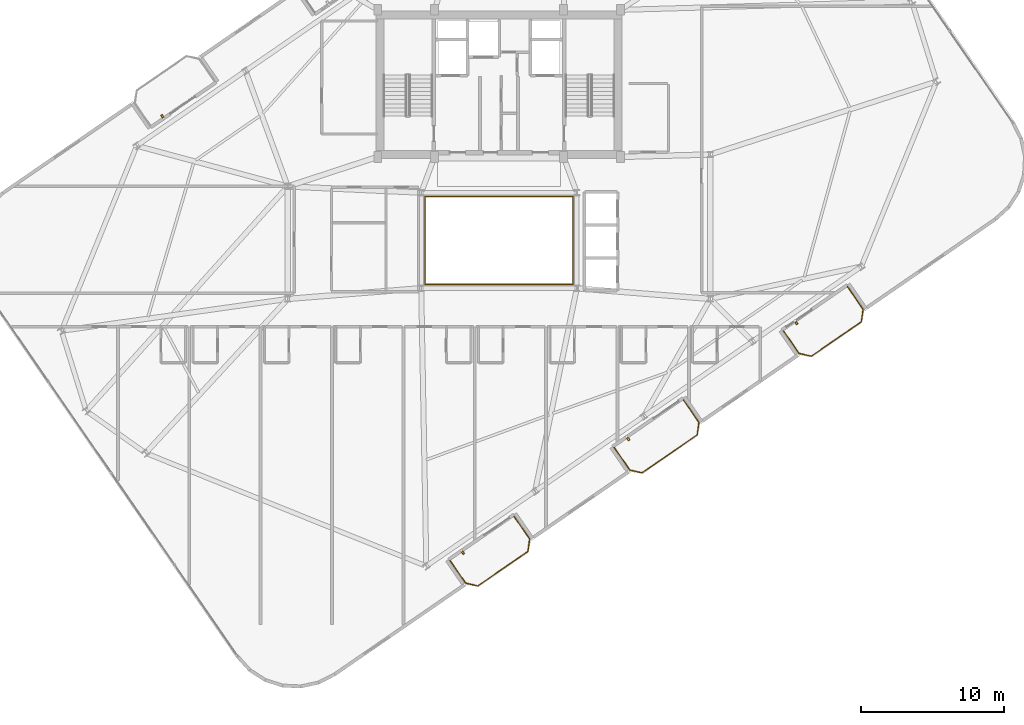
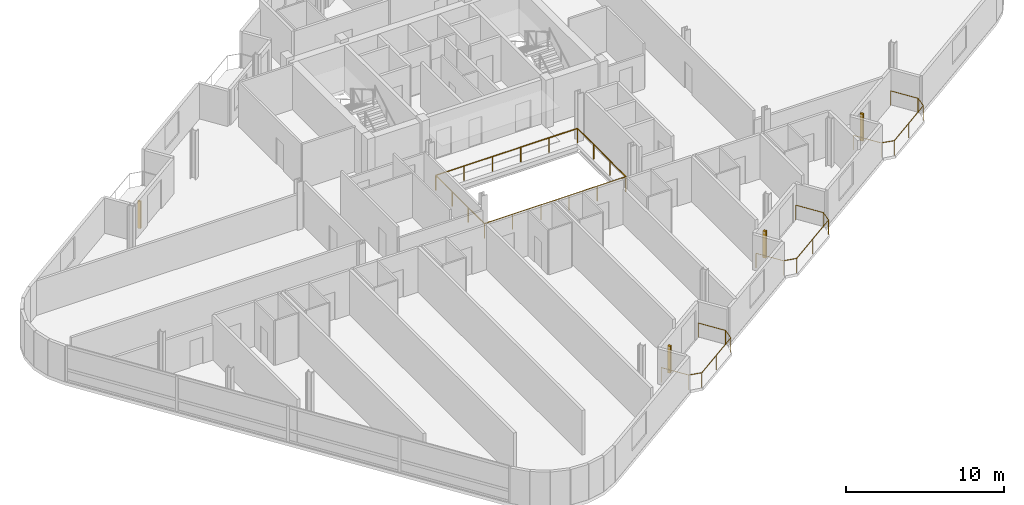
# One storey, part 20 of 22: 5 railings, 4 shading devices.
"""IFC4 building model written with IfcOpenShell, lengths in metres."""

from ifc_helpers import new_model, si_unit, direction, frame, origin, origin_2d, place, context, subcontext, project, spatial, rectangle, circle, extrude, source, transform, mapped, material, type_object, element, save


model = new_model("IFC4")

# Units and contexts
model_context = context("Model", 3, precision=1e-05, world=origin(), true_north=direction((0.0, 1.0)))
body_context = subcontext(model_context, "Body", "Model", "MODEL_VIEW")
ifc_project = project(units=[si_unit("LENGTHUNIT", "METRE"), si_unit("AREAUNIT", "SQUARE_METRE"), si_unit("VOLUMEUNIT", "CUBIC_METRE"), si_unit("PLANEANGLEUNIT", "RADIAN"), si_unit("MASSUNIT", "GRAM", prefix="KILO")], contexts=[model_context])

# Site, building, storey
site_placement = place(None, origin())
site = spatial("IfcSite", under=ifc_project, at=site_placement, CompositionType="ELEMENT")
building_placement = place(site_placement, origin())
building = spatial("IfcBuilding", under=site, at=building_placement, Name="Varnelok Gate Tower", CompositionType="ELEMENT")
storey_placement = place(building_placement, frame((0.0, 0.0, 280.39990234375)))
storey = spatial("IfcBuildingStorey", under=building, at=storey_placement, Name="L72", CompositionType="ELEMENT", Elevation=280.39990234375)

# Railings
ifc_material_1 = material(Name="Tempered Laminated Balustrade Glass", Category="glass")
railing_type_1 = type_object("IfcRailingType", Name="RL-ATR-GUARD1150", PredefinedType="GUARDRAIL", material=ifc_material_1)
railing_1_placement = place(storey_placement, frame((34.02001953125, 25.929931640625, 0.0)))
element("IfcRailing", 1, at=railing_1_placement, inside=storey, type_object=railing_type_1, Name="L72 Internal Atrium South-West Guardrail", PredefinedType="GUARDRAIL", context=body_context, shape_type="SweptSolid", body=[
    extrude(circle(Radius=0.02392578125, at=origin_2d()), frame((0.0, 0.0, 1.1259765625), z_axis=(0.0, -1.0, 0.0), x_axis=(1.0, 0.0, 0.0)), (0.0, 0.0, 1.0), 6.10986328125),
    extrude(circle(Radius=0.02392578125, at=origin_2d()), frame((0.0, -6.10986328125, 1.1259765625), z_axis=(1.0, 0.0, 0.0), x_axis=(0.0, 1.0, 0.0)), (0.0, 0.0, 1.0), 10.31005859375),
    extrude(circle(Radius=0.02099609375, at=origin_2d()), origin(), (0.0, 0.0, 1.0), 1.101806640625),
    extrude(circle(Radius=0.02099609375, at=origin_2d()), frame((0.0, -2.03662109375, 0.0)), (0.0, 0.0, 1.0), 1.101806640625),
    extrude(circle(Radius=0.02099609375, at=origin_2d()), frame((0.0, -4.0732421875, 0.0)), (0.0, 0.0, 1.0), 1.101806640625),
    extrude(circle(Radius=0.02099609375, at=origin_2d()), frame((0.0, -6.10986328125, 0.0)), (0.0, 0.0, 1.0), 1.101806640625),
    extrude(circle(Radius=0.02099609375, at=origin_2d()), frame((2.06201171875, -6.10986328125, 0.0)), (0.0, 0.0, 1.0), 1.101806640625),
    extrude(circle(Radius=0.02099609375, at=origin_2d()), frame((4.1240234375, -6.10986328125, 0.0)), (0.0, 0.0, 1.0), 1.101806640625),
    extrude(circle(Radius=0.02099609375, at=origin_2d()), frame((6.18603515625, -6.10986328125, 0.0)), (0.0, 0.0, 1.0), 1.101806640625),
    extrude(circle(Radius=0.02099609375, at=origin_2d()), frame((8.248046875, -6.10986328125, 0.0)), (0.0, 0.0, 1.0), 1.101806640625),
    extrude(circle(Radius=0.02099609375, at=origin_2d()), frame((10.31005859375, -6.10986328125, 0.0)), (0.0, 0.0, 1.0), 1.101806640625),
])
railing_2_placement = place(storey_placement, frame((44.3798828125, 19.820068359375, 0.0)))
element("IfcRailing", 2, at=railing_2_placement, inside=storey, type_object=railing_type_1, Name="L72 Internal Atrium North-East Guardrail", PredefinedType="GUARDRAIL", context=body_context, shape_type="SweptSolid", body=[
    extrude(circle(Radius=0.02392578125, at=origin_2d()), frame((0.0, 0.0, 1.1259765625), z_axis=(0.0, 1.0, 0.0), x_axis=(-1.0, 0.0, 0.0)), (0.0, 0.0, 1.0), 6.159912109375),
    extrude(circle(Radius=0.02392578125, at=origin_2d()), frame((0.0, 6.159912109375, 1.1259765625), z_axis=(-1.0, 0.0, 0.0), x_axis=(0.0, -1.0, 0.0)), (0.0, 0.0, 1.0), 10.35986328125),
    extrude(circle(Radius=0.02099609375, at=origin_2d()), origin(), (0.0, 0.0, 1.0), 1.101806640625),
    extrude(circle(Radius=0.02099609375, at=origin_2d()), frame((0.0, 2.05322265625, 0.0)), (0.0, 0.0, 1.0), 1.101806640625),
    extrude(circle(Radius=0.02099609375, at=origin_2d()), frame((0.0, 4.106689453125, 0.0)), (0.0, 0.0, 1.0), 1.101806640625),
    extrude(circle(Radius=0.02099609375, at=origin_2d()), frame((0.0, 6.159912109375, 0.0)), (0.0, 0.0, 1.0), 1.101806640625),
    extrude(circle(Radius=0.02099609375, at=origin_2d()), frame((-2.072021484375, 6.159912109375, 0.0)), (0.0, 0.0, 1.0), 1.101806640625),
    extrude(circle(Radius=0.02099609375, at=origin_2d()), frame((-4.14404296875, 6.159912109375, 0.0)), (0.0, 0.0, 1.0), 1.101806640625),
    extrude(circle(Radius=0.02099609375, at=origin_2d()), frame((-6.2158203125, 6.159912109375, 0.0)), (0.0, 0.0, 1.0), 1.101806640625),
    extrude(circle(Radius=0.02099609375, at=origin_2d()), frame((-8.287841796875, 6.159912109375, 0.0)), (0.0, 0.0, 1.0), 1.101806640625),
    extrude(circle(Radius=0.02099609375, at=origin_2d()), frame((-10.35986328125, 6.159912109375, 0.0)), (0.0, 0.0, 1.0), 1.101806640625),
])
ifc_material_2 = material(Name="Low-E Laminated Double Glazing IGU", Category="glass")
railing_type_2 = type_object("IfcRailingType", Name="RL-BALC-1150", PredefinedType="BALUSTRADE", material=ifc_material_2)
railing_3_placement = place(storey_placement, frame((35.77099609375, 0.473876953125, 0.0)))
element("IfcRailing", 3, at=railing_3_placement, inside=storey, type_object=railing_type_2, Name="L72 South Terrace Balustrade 1", PredefinedType="BALUSTRADE", context=body_context, shape_type="SweptSolid", body=[
    extrude(circle(Radius=0.02392578125, at=origin_2d()), frame((0.0, 0.0, 1.1259765625), z_axis=(0.567224752248, -0.823563039747, 0.0), x_axis=(0.823563039747, 0.567224752248, 0.0)), (0.0, 0.0, 1.0), 1.920166015625),
    extrude(circle(Radius=0.02392578125, at=origin_2d()), frame((1.089111328125, -1.581298828125, 1.1259765625), z_axis=(0.973526462254, -0.228574336467, 0.0), x_axis=(0.228574336467, 0.973526462254, 0.0)), (0.0, 0.0, 1.0), 0.8779296875),
    extrude(circle(Radius=0.02392578125, at=origin_2d()), frame((1.94384765625, -1.781982421875, 1.1259765625), z_axis=(0.823512353028, 0.5672983381, 0.0), x_axis=(-0.5672983381, 0.823512353028, 0.0)), (0.0, 0.0, 1.0), 4.26708984375),
    extrude(circle(Radius=0.02392578125, at=origin_2d()), frame((5.457763671875, 0.638671875, 1.1259765625), z_axis=(0.133475040405, 0.991052175008, 0.0), x_axis=(-0.991052175008, 0.133475040405, 0.0)), (0.0, 0.0, 1.0), 0.8779296875),
    extrude(circle(Radius=0.02392578125, at=origin_2d()), frame((5.574951171875, 1.5087890625, 1.1259765625), z_axis=(-0.567284155424, 0.82352212296, 0.0), x_axis=(-0.82352212296, -0.567284155424, 0.0)), (0.0, 0.0, 1.0), 1.919921875),
    extrude(circle(Radius=0.02099609375, at=origin_2d()), origin(), (0.0, 0.0, 1.0), 1.101806640625),
    extrude(circle(Radius=0.02099609375, at=origin_2d()), frame((1.089111328125, -1.581298828125, 0.0)), (0.0, 0.0, 1.0), 1.101806640625),
    extrude(circle(Radius=0.02099609375, at=origin_2d()), frame((1.94384765625, -1.781982421875, 0.0)), (0.0, 0.0, 1.0), 1.101806640625),
    extrude(circle(Radius=0.02099609375, at=origin_2d()), frame((3.70068359375, -0.57177734375, 0.0)), (0.0, 0.0, 1.0), 1.101806640625),
    extrude(circle(Radius=0.02099609375, at=origin_2d()), frame((5.457763671875, 0.638671875, 0.0)), (0.0, 0.0, 1.0), 1.101806640625),
    extrude(circle(Radius=0.02099609375, at=origin_2d()), frame((5.574951171875, 1.5087890625, 0.0)), (0.0, 0.0, 1.0), 1.101806640625),
    extrude(circle(Radius=0.02099609375, at=origin_2d()), frame((4.48583984375, 3.08984375, 0.0)), (0.0, 0.0, 1.0), 1.101806640625),
])
railing_4_placement = place(storey_placement, frame((47.273193359375, 8.39697265625, 0.0)))
element("IfcRailing", 4, at=railing_4_placement, inside=storey, type_object=railing_type_2, Name="L72 South Terrace Balustrade 2", PredefinedType="BALUSTRADE", context=body_context, shape_type="SweptSolid", body=[
    extrude(circle(Radius=0.02392578125, at=origin_2d()), frame((0.0, 0.0, 1.1259765625), z_axis=(0.567224752248, -0.823563039747, 0.0), x_axis=(0.823563039747, 0.567224752248, 0.0)), (0.0, 0.0, 1.0), 1.920166015625),
    extrude(circle(Radius=0.02392578125, at=origin_2d()), frame((1.089111328125, -1.581298828125, 1.1259765625), z_axis=(0.973526462254, -0.228574336467, 0.0), x_axis=(0.228574336467, 0.973526462254, 0.0)), (0.0, 0.0, 1.0), 0.8779296875),
    extrude(circle(Radius=0.02392578125, at=origin_2d()), frame((1.94384765625, -1.781982421875, 1.1259765625), z_axis=(0.823523239622, 0.567282534371, 0.0), x_axis=(-0.567282534371, 0.823523239622, 0.0)), (0.0, 0.0, 1.0), 4.699951171875),
    extrude(circle(Radius=0.02392578125, at=origin_2d()), frame((5.814453125, 0.88427734375, 1.1259765625), z_axis=(0.133511834152, 0.991047218926, 0.0), x_axis=(-0.991047218926, 0.133511834152, 0.0)), (0.0, 0.0, 1.0), 0.877685546875),
    extrude(circle(Radius=0.02392578125, at=origin_2d()), frame((5.931640625, 1.754150390625, 1.1259765625), z_axis=(-0.567224752248, 0.823563039747, 0.0), x_axis=(-0.823563039747, -0.567224752248, 0.0)), (0.0, 0.0, 1.0), 1.920166015625),
    extrude(circle(Radius=0.02099609375, at=origin_2d()), origin(), (0.0, 0.0, 1.0), 1.101806640625),
    extrude(circle(Radius=0.02099609375, at=origin_2d()), frame((1.089111328125, -1.581298828125, 0.0)), (0.0, 0.0, 1.0), 1.101806640625),
    extrude(circle(Radius=0.02099609375, at=origin_2d()), frame((1.94384765625, -1.781982421875, 0.0)), (0.0, 0.0, 1.0), 1.101806640625),
    extrude(circle(Radius=0.02099609375, at=origin_2d()), frame((3.879150390625, -0.44873046875, 0.0)), (0.0, 0.0, 1.0), 1.101806640625),
    extrude(circle(Radius=0.02099609375, at=origin_2d()), frame((5.814453125, 0.88427734375, 0.0)), (0.0, 0.0, 1.0), 1.101806640625),
    extrude(circle(Radius=0.02099609375, at=origin_2d()), frame((5.931640625, 1.754150390625, 0.0)), (0.0, 0.0, 1.0), 1.101806640625),
    extrude(circle(Radius=0.02099609375, at=origin_2d()), frame((4.842529296875, 3.33544921875, 0.0)), (0.0, 0.0, 1.0), 1.101806640625),
])
railing_5_placement = place(storey_placement, frame((59.132080078125, 16.5654296875, 0.0)))
element("IfcRailing", 5, at=railing_5_placement, inside=storey, type_object=railing_type_2, Name="L72 South Terrace Balustrade 3", PredefinedType="BALUSTRADE", context=body_context, shape_type="SweptSolid", body=[
    extrude(circle(Radius=0.02392578125, at=origin_2d()), frame((0.0, 0.0, 1.1259765625), z_axis=(0.567284155424, -0.82352212296, 0.0), x_axis=(0.82352212296, 0.567284155424, 0.0)), (0.0, 0.0, 1.0), 1.919921875),
    extrude(circle(Radius=0.02392578125, at=origin_2d()), frame((1.089111328125, -1.5810546875, 1.1259765625), z_axis=(0.973526462254, -0.228574336467, 0.0), x_axis=(0.228574336467, 0.973526462254, 0.0)), (0.0, 0.0, 1.0), 0.8779296875),
    extrude(circle(Radius=0.02392578125, at=origin_2d()), frame((1.94384765625, -1.78173828125, 1.1259765625), z_axis=(0.823512353028, 0.5672983381, 0.0), x_axis=(-0.5672983381, 0.823512353028, 0.0)), (0.0, 0.0, 1.0), 4.26708984375),
    extrude(circle(Radius=0.02392578125, at=origin_2d()), frame((5.457763671875, 0.638916015625, 1.1259765625), z_axis=(0.133511834152, 0.991047218926, 0.0), x_axis=(-0.991047218926, 0.133511834152, 0.0)), (0.0, 0.0, 1.0), 0.877685546875),
    extrude(circle(Radius=0.02392578125, at=origin_2d()), frame((5.574951171875, 1.5087890625, 1.1259765625), z_axis=(-0.567224752248, 0.823563039747, 0.0), x_axis=(-0.823563039747, -0.567224752248, 0.0)), (0.0, 0.0, 1.0), 1.920166015625),
    extrude(circle(Radius=0.02099609375, at=origin_2d()), origin(), (0.0, 0.0, 1.0), 1.101806640625),
    extrude(circle(Radius=0.02099609375, at=origin_2d()), frame((1.089111328125, -1.5810546875, 0.0)), (0.0, 0.0, 1.0), 1.101806640625),
    extrude(circle(Radius=0.02099609375, at=origin_2d()), frame((1.94384765625, -1.78173828125, 0.0)), (0.0, 0.0, 1.0), 1.101806640625),
    extrude(circle(Radius=0.02099609375, at=origin_2d()), frame((3.70068359375, -0.5712890625, 0.0)), (0.0, 0.0, 1.0), 1.101806640625),
    extrude(circle(Radius=0.02099609375, at=origin_2d()), frame((5.457763671875, 0.638916015625, 0.0)), (0.0, 0.0, 1.0), 1.101806640625),
    extrude(circle(Radius=0.02099609375, at=origin_2d()), frame((5.574951171875, 1.5087890625, 0.0)), (0.0, 0.0, 1.0), 1.101806640625),
    extrude(circle(Radius=0.02099609375, at=origin_2d()), frame((4.48583984375, 3.090087890625, 0.0)), (0.0, 0.0, 1.0), 1.101806640625),
])

# Shading devices
ifc_material_3 = material(Name="Glazed Architectural Terracotta Ceramic", Category="masonry")
shading_device_type = type_object("IfcShadingDeviceType", Name="SHD-TERRA-BAGUETTE", PredefinedType="USERDEFINED", material=ifc_material_3)
shared_shape = source(origin(), body_context, "Body", "SweptSolid", [
    extrude(rectangle(XDim=0.139892578125, YDim=0.219970703125, at=origin_2d()), origin(), (0.0, 0.0, 1.0), 2.10009765625),
])
for number, where, z_axis, x_axis, name in (
    (6, (36.67822265625, 1.013671875, 0.10009765625), (0.0, 0.0, 1.0), (0.823532597628, 0.567268949127, 0.0), "L72 Terracotta Ceramic Baguette Sunscreen 1.1"),
    (7, (48.251708984375, 8.98583984375, 0.10009765625), (0.0, 0.0, 1.0), (0.823532597628, 0.567268949127, 0.0), "L72 Terracotta Ceramic Baguette Sunscreen 2.1"),
    (8, (60.039306640625, 17.10546875, 0.10009765625), (0.0, 0.0, 1.0), (0.823532597628, 0.567268949127, 0.0), "L72 Terracotta Ceramic Baguette Sunscreen 3.1"),
    (9, (15.60986328125, 31.599609375, 0.10009765625), (0.0, 0.0, 1.0), (0.823532597628, 0.567268949127, 0.0), "L72 Terracotta Ceramic Baguette Sunscreen 4.1"),
):
    element("IfcShadingDevice", number, at=place(storey_placement, frame(where, z_axis=z_axis, x_axis=x_axis)), inside=storey, type_object=shading_device_type, Name=name, ObjectType="BAGUETTE", PredefinedType="USERDEFINED", context=body_context, shape_type="MappedRepresentation", body=[
        mapped(shared_shape, transform((0.0, 0.0, 0.0), scale=1.0)),
    ])

save(model, "model.ifc")
